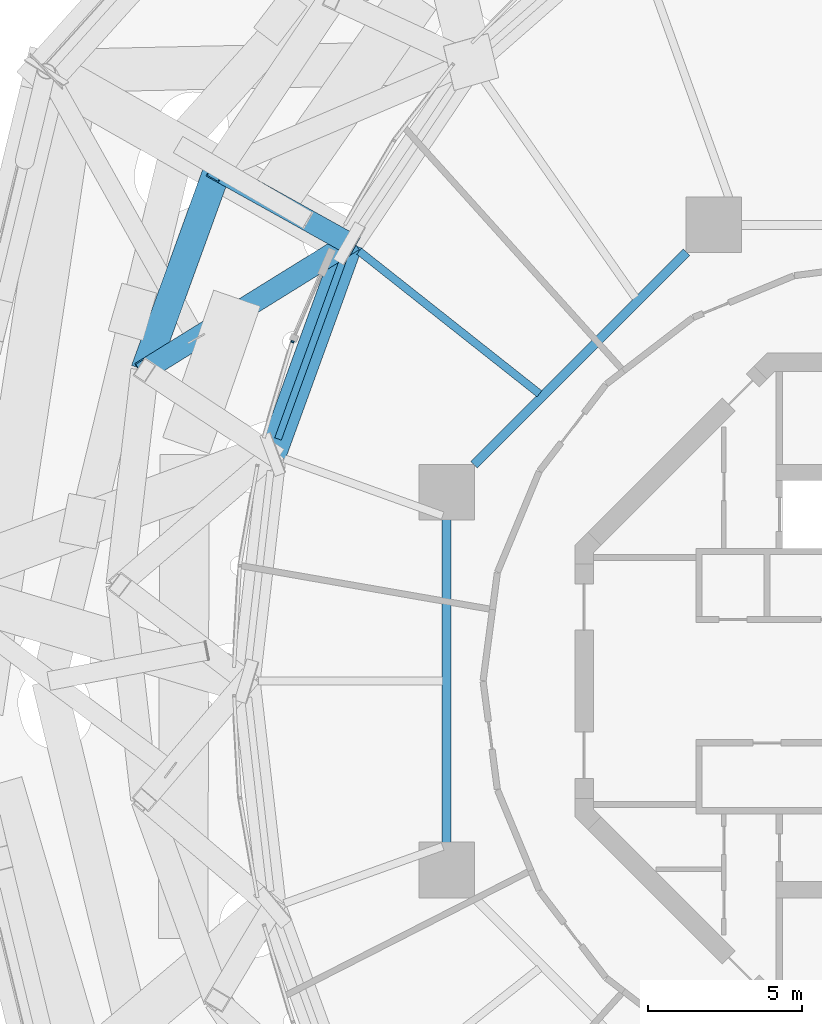
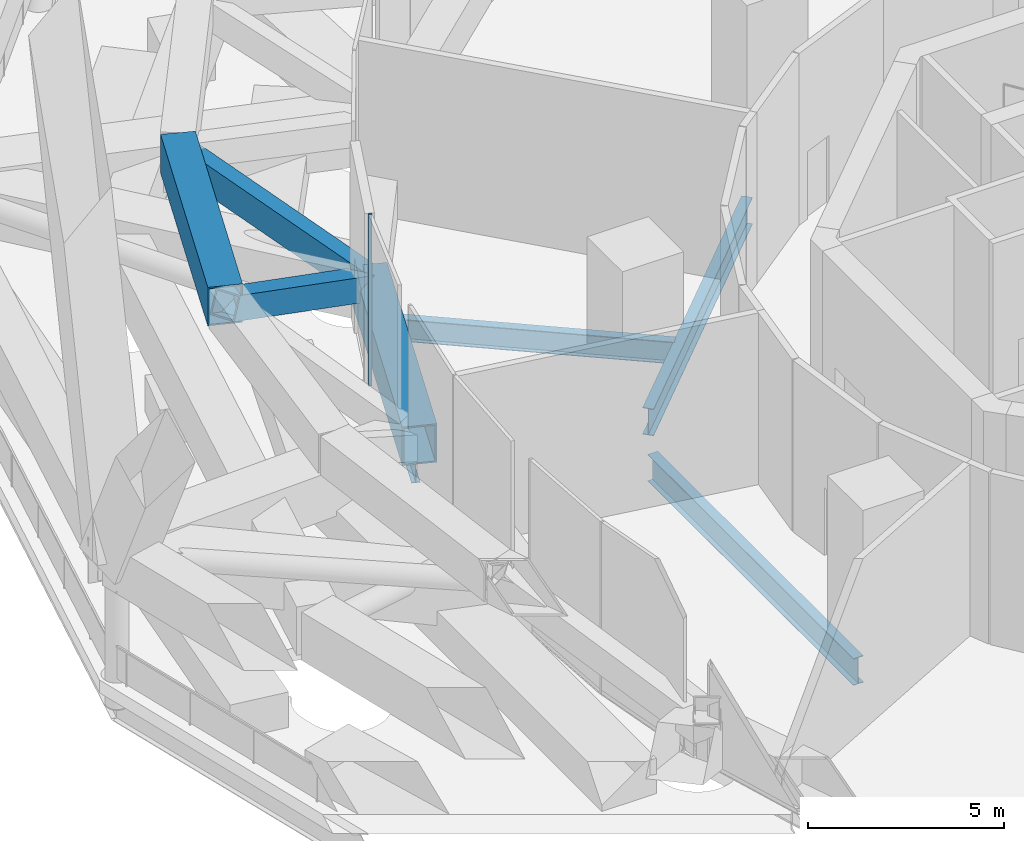
# One storey, part 30 of 60: 8 beams, 1 member, 1 element without a shape of its own.
"""IFC4 building model written with IfcOpenShell, lengths in metres."""

from ifc_helpers import new_model, si_unit, direction, frame, origin, origin_2d, place, context, subcontext, project, spatial, rectangle, hollow_rectangle, i_section, extrude, material, layer, layer_set, material_profile, profile_set, type_object, element, aggregate, save


model = new_model("IFC4")

# Units and contexts
model_context = context("Model", 3, precision=1e-05, world=origin(), true_north=direction((0.0, 1.0)))
body_context = subcontext(model_context, "Body", "Model", "MODEL_VIEW")
ifc_project = project(units=[si_unit("LENGTHUNIT", "METRE"), si_unit("AREAUNIT", "SQUARE_METRE"), si_unit("VOLUMEUNIT", "CUBIC_METRE"), si_unit("PLANEANGLEUNIT", "RADIAN"), si_unit("MASSUNIT", "GRAM", prefix="KILO")], contexts=[model_context])

# Site, building, storey
site_placement = place(None, origin())
site = spatial("IfcSite", under=ifc_project, at=site_placement, CompositionType="ELEMENT")
building_placement = place(site_placement, origin())
building = spatial("IfcBuilding", under=site, at=building_placement, Name="Nagisa Residences", CompositionType="ELEMENT")
storey_placement = place(building_placement, frame((0.0, 0.0, 206.60009765625)))
storey = spatial("IfcBuildingStorey", under=building, at=storey_placement, Name="L52", CompositionType="ELEMENT", Elevation=206.60009765625)

# Beams
ifc_material_1 = material(Name="Steel ASTM A572 Gr 50", Category="steel")
ifc_material_profile_1 = material_profile(ifc_material_1, hollow_rectangle(XDim=0.89990234375, YDim=1.199951171875, WallThickness=0.044921875, at=origin_2d()), Name="BX 900x1200x45")
ifc_profile_set_1 = profile_set([ifc_material_profile_1], Name="Steel ASTM A572 Gr 50")
beam_type_1 = type_object("IfcBeamType", Name="Belt chord 4 BX 900x1200x45", PredefinedType="BEAM", material=ifc_profile_set_1)
beam_1_placement = place(storey_placement, frame((-17.9423828125, 14.1875, 0.599853515625), z_axis=(-0.341325710829, -0.939945083038, 0.0), x_axis=(0.939945083038, -0.341325710829, 0.0)))
element("IfcBeam", 1, at=beam_1_placement, inside=storey, type_object=beam_type_1, Name="beam:L52:bt4b11", PredefinedType="BEAM", context=body_context, shape_type="SweptSolid", body=[
    extrude(hollow_rectangle(XDim=0.89990234375, YDim=1.199951171875, WallThickness=0.044921875, at=origin_2d()), origin(), (0.0, 0.0, 1.0), 7.28076171875),
])
beam_2_placement = place(storey_placement, frame((-22.212158203125, 16.562744140625, 4.739990234375), z_axis=(-0.341285604101, -0.939959646173, 0.0), x_axis=(0.939959646173, -0.341285604101, 0.0)))
element("IfcBeam", 2, at=beam_2_placement, inside=storey, type_object=beam_type_1, Name="beam:L52:bt4t11", PredefinedType="BEAM", context=body_context, shape_type="SweptSolid", body=[
    extrude(hollow_rectangle(XDim=0.89990234375, YDim=1.199951171875, WallThickness=0.044921875, at=origin_2d()), origin(), (0.0, 0.0, 1.0), 6.899658203125),
])
ifc_material_2 = material(Name="Steel ASTM A572 Gr 50", Category="steel")
ifc_material_profile_2 = material_profile(ifc_material_2, hollow_rectangle(XDim=0.699951171875, YDim=0.699951171875, WallThickness=0.0400390625, at=origin_2d()), Name="BX 700x700x40")
ifc_profile_set_2 = profile_set([ifc_material_profile_2], Name="Steel ASTM A572 Gr 50")
beam_type_2 = type_object("IfcBeamType", Name="Belt diagonal 4 BX 700x700x40", PredefinedType="BEAM", material=ifc_profile_set_2)
beam_3_placement = place(storey_placement, frame((-17.9423828125, 14.1875, 0.599853515625), z_axis=(-0.666717140662, 0.370889762794, 0.646474313645), x_axis=(-0.486134988148, -0.873883729851, 0.0)))
element("IfcBeam", 3, at=beam_3_placement, inside=storey, type_object=beam_type_2, Name="beam:L52:bt4da11", PredefinedType="BEAM", context=body_context, shape_type="SweptSolid", body=[
    extrude(hollow_rectangle(XDim=0.699951171875, YDim=0.699951171875, WallThickness=0.0400390625, at=origin_2d()), origin(), (0.0, 0.0, 1.0), 6.404296875),
])
beam_4_placement = place(storey_placement, frame((-17.9423828125, 14.1875, 0.599853515625), z_axis=(-0.750473454451, -0.465623225683, 0.469025165496), x_axis=(0.527209282512, -0.849735472034, 0.0)))
element("IfcBeam", 4, at=beam_4_placement, inside=storey, type_object=beam_type_2, Name="beam:L52:bt4db11", PredefinedType="BEAM", context=body_context, shape_type="SweptSolid", body=[
    extrude(hollow_rectangle(XDim=0.699951171875, YDim=0.699951171875, WallThickness=0.0400390625, at=origin_2d()), origin(), (0.0, 0.0, 1.0), 8.8271484375),
])

# Curtain wall, member
ifc_material_3 = material(Name="Aluminium curtain wall system", Category="aluminium")
ifc_layer = layer(ifc_material_3, 0.159912109375)
ifc_layer_set = layer_set([ifc_layer], Name="CW5 CURTAIN WALL")
curtain_wall_type = type_object("IfcCurtainWallType", Name="CW5 CURTAIN WALL", PredefinedType="NOTDEFINED", material=ifc_layer_set)
curtain_wall_placement = place(storey_placement, origin())
curtain_wall = element("IfcCurtainWall", 5, at=curtain_wall_placement, inside=storey, type_object=curtain_wall_type, Name="cw:CW5:L52:21", PredefinedType="NOTDEFINED")
ifc_material_4 = material(Name="Aluminium", Category="aluminium")
ifc_material_profile_3 = material_profile(ifc_material_4, rectangle(XDim=0.10009765625, YDim=0.06005859375, at=origin_2d()), Name="CW5 MULLION 100x60")
ifc_profile_set_3 = profile_set([ifc_material_profile_3], Name="Aluminium")
member_type = type_object("IfcMemberType", Name="CW5 MULLION 100x60", PredefinedType="MULLION", material=ifc_profile_set_3)
member_placement = place(storey_placement, frame((-19.775390625, 10.998291015625, 0.0), z_axis=(0.0, 0.0, 1.0), x_axis=(0.958271310082, -0.285860274038, 0.0)))
member = element("IfcMember", 6, at=member_placement, type_object=member_type, Name="CW5 mullion", PredefinedType="MULLION", context=body_context, shape_type="SweptSolid", body=[
    extrude(rectangle(XDim=0.10009765625, YDim=0.06005859375, at=origin_2d()), origin(), (0.0, 0.0, 1.0), 5.33984375),
])
aggregate(curtain_wall, [member])

# Beams
ifc_material_5 = material(Name="Steel ASTM A572 Gr 50", Category="steel")
ifc_material_profile_4 = material_profile(ifc_material_5, i_section(OverallWidth=0.2919921875, OverallDepth=0.8349609375, WebThickness=0.013916015625, FlangeThickness=0.018798828125, at=origin_2d()), Name="W840x176")
ifc_profile_set_4 = profile_set([ifc_material_profile_4], Name="Steel ASTM A572 Gr 50")
beam_type_3 = type_object("IfcBeamType", Name="Inner ring beam W840x176", PredefinedType="BEAM", material=ifc_profile_set_4)
beam_5_placement = place(storey_placement, frame((-7.0087890625, 13.896240234375, -0.767578125), z_axis=(-0.707106781187, -0.707106781187, 0.0), x_axis=(0.707106781187, -0.707106781187, 0.0)))
element("IfcBeam", 7, at=beam_5_placement, inside=storey, type_object=beam_type_3, Name="beam:L52:ib3", PredefinedType="BEAM", context=body_context, shape_type="SweptSolid", body=[
    extrude(i_section(OverallWidth=0.2919921875, OverallDepth=0.8349609375, WebThickness=0.013916015625, FlangeThickness=0.018798828125, at=origin_2d()), origin(), (0.0, 0.0, 1.0), 9.740234375),
])
beam_6_placement = place(storey_placement, frame((-14.781982421875, 5.242919921875, -0.767578125), z_axis=(0.0, -1.0, 0.0), x_axis=(1.0, 0.0, 0.0)))
element("IfcBeam", 8, at=beam_6_placement, inside=storey, type_object=beam_type_3, Name="beam:L52:ib4", PredefinedType="BEAM", context=body_context, shape_type="SweptSolid", body=[
    extrude(i_section(OverallWidth=0.2919921875, OverallDepth=0.8349609375, WebThickness=0.013916015625, FlangeThickness=0.018798828125, at=origin_2d()), origin(), (0.0, 0.0, 1.0), 10.48583984375),
])
ifc_material_6 = material(Name="Steel ASTM A572 Gr 50", Category="steel")
ifc_material_profile_5 = material_profile(ifc_material_6, i_section(OverallWidth=0.22802734375, OverallDepth=0.60302734375, WebThickness=0.010498046875, FlangeThickness=0.014892578125, at=origin_2d()), Name="W610x101")
ifc_profile_set_5 = profile_set([ifc_material_profile_5], Name="Steel ASTM A572 Gr 50")
beam_type_4 = type_object("IfcBeamType", Name="Perimeter ring beam W610x101", PredefinedType="BEAM", material=ifc_profile_set_5)
beam_7_placement = place(storey_placement, frame((-18.124755859375, 13.685546875, -0.651611328125), z_axis=(-0.341285525681, -0.939959674646, 0.0), x_axis=(0.939959674646, -0.341285525681, 0.0)))
element("IfcBeam", 9, at=beam_7_placement, inside=storey, type_object=beam_type_4, Name="beam:L52:pb11", PredefinedType="BEAM", context=body_context, shape_type="SweptSolid", body=[
    extrude(i_section(OverallWidth=0.22802734375, OverallDepth=0.60302734375, WebThickness=0.010498046875, FlangeThickness=0.014892578125, at=origin_2d()), origin(), (0.0, 0.0, 1.0), 6.212890625),
])
ifc_material_7 = material(Name="Steel ASTM A572 Gr 50", Category="steel")
ifc_material_profile_6 = material_profile(ifc_material_7, i_section(OverallWidth=0.25390625, OverallDepth=0.68408203125, WebThickness=0.012451171875, FlangeThickness=0.018798828125, at=origin_2d()), Name="W690x140")
ifc_profile_set_6 = profile_set([ifc_material_profile_6], Name="Steel ASTM A572 Gr 50")
beam_type_5 = type_object("IfcBeamType", Name="Radial beam W690x140", PredefinedType="BEAM", material=ifc_profile_set_6)
beam_8_placement = place(storey_placement, frame((-17.617919921875, 13.930908203125, -0.692138671875), z_axis=(0.784411142457, -0.620241210812, 0.0), x_axis=(0.620241210812, 0.784411142457, 0.0)))
element("IfcBeam", 10, at=beam_8_placement, inside=storey, type_object=beam_type_5, Name="beam:L52:rb11", PredefinedType="BEAM", context=body_context, shape_type="SweptSolid", body=[
    extrude(i_section(OverallWidth=0.25390625, OverallDepth=0.68408203125, WebThickness=0.012451171875, FlangeThickness=0.018798828125, at=origin_2d()), origin(), (0.0, 0.0, 1.0), 7.450439453125),
])

save(model, "model.ifc")
